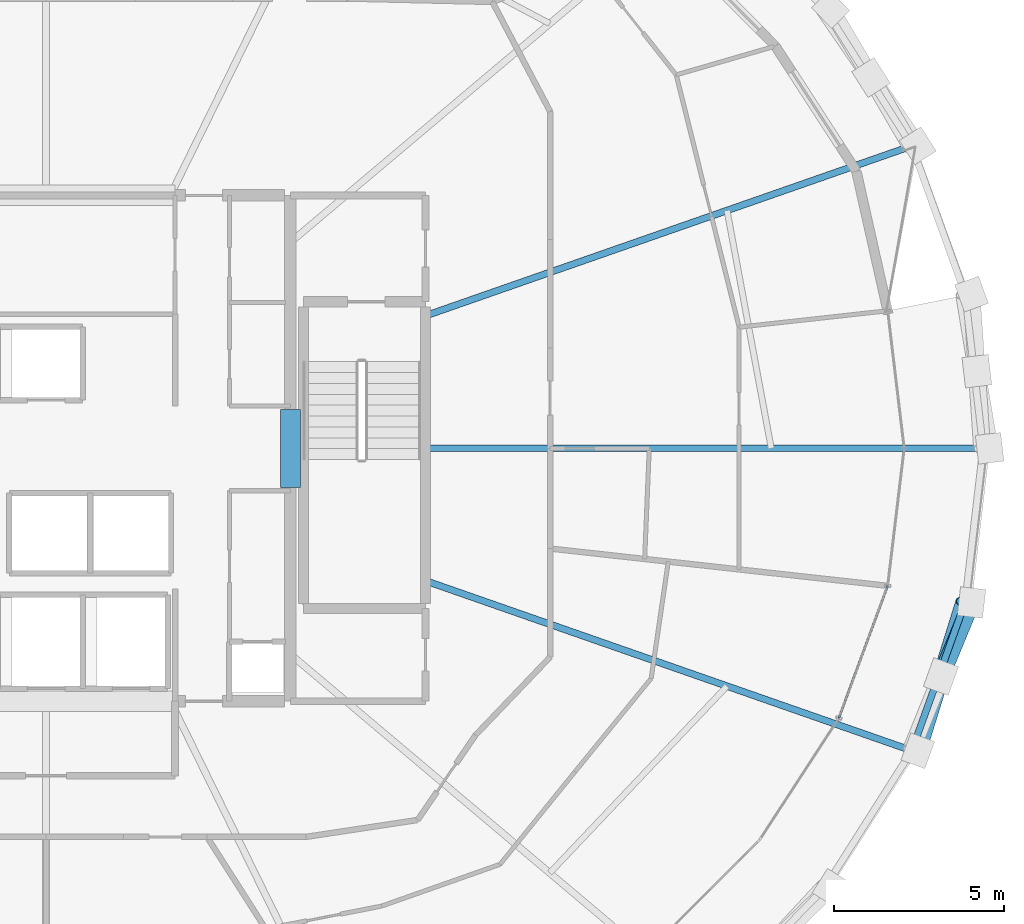
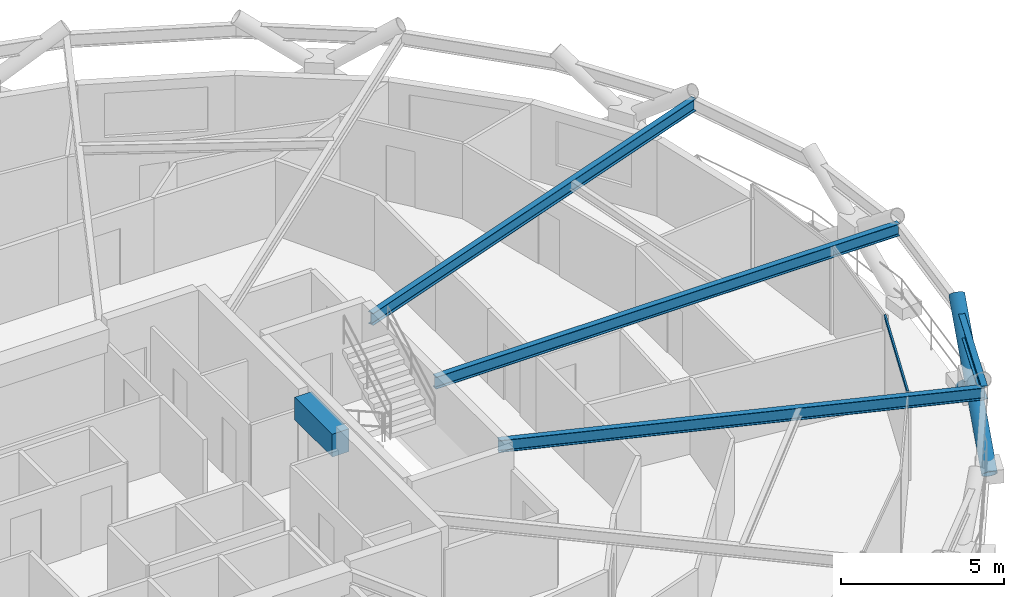
# One storey, part 9 of 17: 5 beams, 3 members, 1 element without a shape of its own.
"""IFC4 building model written with IfcOpenShell, lengths in metres."""

from ifc_helpers import new_model, si_unit, direction, frame, origin, origin_2d, place, context, subcontext, project, spatial, rectangle, hollow_rectangle, hollow_circle, i_section, extrude, material, layer, layer_set, material_profile, profile_set, type_object, element, aggregate, save


model = new_model("IFC4")

# Units and contexts
model_context = context("Model", 3, precision=1e-05, world=origin(), true_north=direction((0.0, 1.0)))
body_context = subcontext(model_context, "Body", "Model", "MODEL_VIEW")
ifc_project = project(units=[si_unit("LENGTHUNIT", "METRE"), si_unit("AREAUNIT", "SQUARE_METRE"), si_unit("VOLUMEUNIT", "CUBIC_METRE"), si_unit("PLANEANGLEUNIT", "RADIAN"), si_unit("MASSUNIT", "GRAM", prefix="KILO")], contexts=[model_context])

# Site, building, storey
site_placement = place(None, origin())
site = spatial("IfcSite", under=ifc_project, at=site_placement, CompositionType="ELEMENT")
building_placement = place(site_placement, origin())
building = spatial("IfcBuilding", under=site, at=building_placement, Name="Veldorina Hangang Commons", CompositionType="ELEMENT")
storey_placement = place(building_placement, frame((0.0, 0.0, 178.39990234375)))
storey = spatial("IfcBuildingStorey", under=building, at=storey_placement, Name="L46", CompositionType="ELEMENT", Elevation=178.39990234375)

# Beams
ifc_material_1 = material(Name="Concrete C60/75", Category="concrete")
ifc_material_profile_1 = material_profile(ifc_material_1, rectangle(XDim=0.60009765625, YDim=0.85009765625, at=origin_2d()), Name="RC-CB-600x850")
ifc_profile_set_1 = profile_set([ifc_material_profile_1], Name="Concrete C60/75")
beam_type_1 = type_object("IfcBeamType", Name="BM-CB850", PredefinedType="LINTEL", material=ifc_profile_set_1)
beam_1_placement = place(storey_placement, frame((39.199951171875, 22.85009765625, 2.925048828125), z_axis=(0.0, 1.0, 0.0), x_axis=(-1.0, 0.0, 0.0)))
element("IfcBeam", 1, at=beam_1_placement, inside=storey, type_object=beam_type_1, Name="L46 E core coupling lintel beam", PredefinedType="LINTEL", context=body_context, shape_type="SweptSolid", body=[
    extrude(rectangle(XDim=0.60009765625, YDim=0.85009765625, at=origin_2d()), origin(), (0.0, 0.0, 1.0), 2.2998046875),
])
ifc_material_2 = material(Name="Steel SM355-TMC", Category="steel")
ifc_material_profile_2 = material_profile(ifc_material_2, i_section(OverallWidth=0.199951171875, OverallDepth=0.449951171875, WebThickness=0.009033203125, FlangeThickness=0.013916015625, FilletRadius=0.01611328125, at=origin_2d()), Name="H-450x200x9x14")
ifc_profile_set_2 = profile_set([ifc_material_profile_2], Name="Steel SM355-TMC")
beam_type_2 = type_object("IfcBeamType", Name="BM-FG450", PredefinedType="BEAM", material=ifc_profile_set_2)
beam_2_placement = place(storey_placement, frame((43.179931640625, 24.0, 3.125), z_axis=(1.0, 0.0, 0.0), x_axis=(0.0, 1.0, 0.0)))
element("IfcBeam", 2, at=beam_2_placement, inside=storey, type_object=beam_type_2, Name="L46 radial floor girder 01", PredefinedType="BEAM", context=body_context, shape_type="SweptSolid", body=[
    extrude(i_section(OverallWidth=0.199951171875, OverallDepth=0.449951171875, WebThickness=0.009033203125, FlangeThickness=0.013916015625, FilletRadius=0.01611328125, at=origin_2d()), origin(), (0.0, 0.0, 1.0), 16.42724609375),
])
for number, where, z_axis, x_axis, name in (
    (3, (43.179931640625, 27.904541015625, 3.125), (0.944077122086, 0.329724714805, 0.0), (-0.329724714805, 0.944077122086, 0.0), "L46 radial floor girder 02"),
    (4, (43.179931640625, 20.095458984375, 3.125), (0.944077122086, -0.329724714805, 0.0), (0.329724714805, 0.944077122086, 0.0), "L46 radial floor girder 16"),
):
    element("IfcBeam", number, at=place(storey_placement, frame(where, z_axis=z_axis, x_axis=x_axis)), inside=storey, type_object=beam_type_2, Name=name, PredefinedType="BEAM", context=body_context, shape_type="SweptSolid", body=[
        extrude(i_section(OverallWidth=0.199951171875, OverallDepth=0.449951171875, WebThickness=0.009033203125, FlangeThickness=0.013916015625, FilletRadius=0.01611328125, at=origin_2d()), origin(), (0.0, 0.0, 1.0), 15.174560546875),
    ])
ifc_material_3 = material(Name="Steel SM420-TMC", Category="steel")
ifc_material_profile_3 = material_profile(ifc_material_3, i_section(OverallWidth=0.199951171875, OverallDepth=0.5, WebThickness=0.010009765625, FlangeThickness=0.01611328125, FilletRadius=0.01611328125, at=origin_2d()), Name="H-500x200x10x16")
ifc_profile_set_3 = profile_set([ifc_material_profile_3], Name="Steel SM420-TMC")
beam_type_3 = type_object("IfcBeamType", Name="BM-RB500", PredefinedType="BEAM", material=ifc_profile_set_3)
beam_3_placement = place(storey_placement, frame((57.505859375, 15.092041015625, 3.10009765625), z_axis=(0.338488453907, 0.940970545008, 0.0), x_axis=(-0.940970545008, 0.338488453907, 0.0)))
element("IfcBeam", 5, at=beam_3_placement, inside=storey, type_object=beam_type_3, Name="L46 perimeter hoop ring beam 30", PredefinedType="BEAM", context=body_context, shape_type="SweptSolid", body=[
    extrude(i_section(OverallWidth=0.199951171875, OverallDepth=0.5, WebThickness=0.010009765625, FlangeThickness=0.01611328125, FilletRadius=0.01611328125, at=origin_2d()), origin(), (0.0, 0.0, 1.0), 4.640625),
])

# Curtain wall, member
ifc_material_4 = material(Name="Glass Low-E Triple IGU", Category="glass")
ifc_layer = layer(ifc_material_4, 0.179931640625)
ifc_layer_set = layer_set([ifc_layer], Name="Glass Low-E Triple IGU")
curtain_wall_type = type_object("IfcCurtainWallType", Name="CW-SYS-Z2", PredefinedType="NOTDEFINED", material=ifc_layer_set)
curtain_wall_placement = place(storey_placement, origin())
curtain_wall = element("IfcCurtainWall", 6, at=curtain_wall_placement, inside=storey, type_object=curtain_wall_type, Name="L46 unitised curtain wall CW-L46-R2", PredefinedType="NOTDEFINED")
ifc_material_5 = material(Name="Aluminium Anodized AA6063-T6", Category="aluminium")
ifc_material_profile_4 = material_profile(ifc_material_5, hollow_rectangle(XDim=0.06005859375, YDim=0.139892578125, WallThickness=0.00341796875, at=origin_2d()), Name="ALU-RHS-140x60x3.5")
ifc_profile_set_4 = profile_set([ifc_material_profile_4], Name="Aluminium Anodized AA6063-T6")
member_type_1 = type_object("IfcMemberType", Name="CW-TRN-140", PredefinedType="USERDEFINED", material=ifc_profile_set_4)
member_1_placement = place(storey_placement, frame((55.355224609375, 16.052490234375, 3.27001953125), z_axis=(0.346364532077, 0.93810000049, 0.0), x_axis=(-0.93810000049, 0.346364532077, 0.0)))
member_1 = element("IfcMember", 7, at=member_1_placement, type_object=member_type_1, Name="CW-L46-R2 facet 3 transom 1", ObjectType="TRANSOM", PredefinedType="USERDEFINED", context=body_context, shape_type="SweptSolid", body=[
    extrude(hollow_rectangle(XDim=0.06005859375, YDim=0.139892578125, WallThickness=0.00341796875, at=origin_2d()), origin(), (0.0, 0.0, 1.0), 4.153076171875),
])
aggregate(curtain_wall, [member_1])

# Members
ifc_material_profile_5 = material_profile(ifc_material_3, hollow_circle(Radius=0.25, WallThickness=0.02490234375, at=origin_2d()), Name="CHS-500x25")
ifc_profile_set_5 = profile_set([ifc_material_profile_5], Name="Steel SM420-TMC")
member_type_2 = type_object("IfcMemberType", Name="DG-CHS500", PredefinedType="BRACE", material=ifc_profile_set_5)
member_2_placement = place(storey_placement, frame((57.683349609375, 15.088134765625, 0.0), z_axis=(0.234024430121, 0.750445884374, 0.618112886722), x_axis=(-0.954657239121, 0.297707164498, 0.0)))
element("IfcMember", 8, at=member_2_placement, inside=storey, type_object=member_type_2, Name="L46 continuous perimeter diagrid brace 30", PredefinedType="BRACE", context=body_context, shape_type="SweptSolid", body=[
    extrude(hollow_circle(Radius=0.25, WallThickness=0.02490234375, at=origin_2d()), origin(), (0.0, 0.0, 1.0), 5.82421875),
])
member_3_placement = place(storey_placement, frame((59.265380859375, 19.456787109375, 0.0), z_axis=(-0.30317637448, -0.734793621468, 0.606763891318), x_axis=(0.924405777408, -0.381410485822, 0.0)))
element("IfcMember", 9, at=member_3_placement, inside=storey, type_object=member_type_2, Name="L46 split perimeter diagrid lower brace 31", PredefinedType="BRACE", context=body_context, shape_type="SweptSolid", body=[
    extrude(hollow_circle(Radius=0.25, WallThickness=0.02490234375, at=origin_2d()), origin(), (0.0, 0.0, 1.0), 2.968994140625),
])

save(model, "model.ifc")
